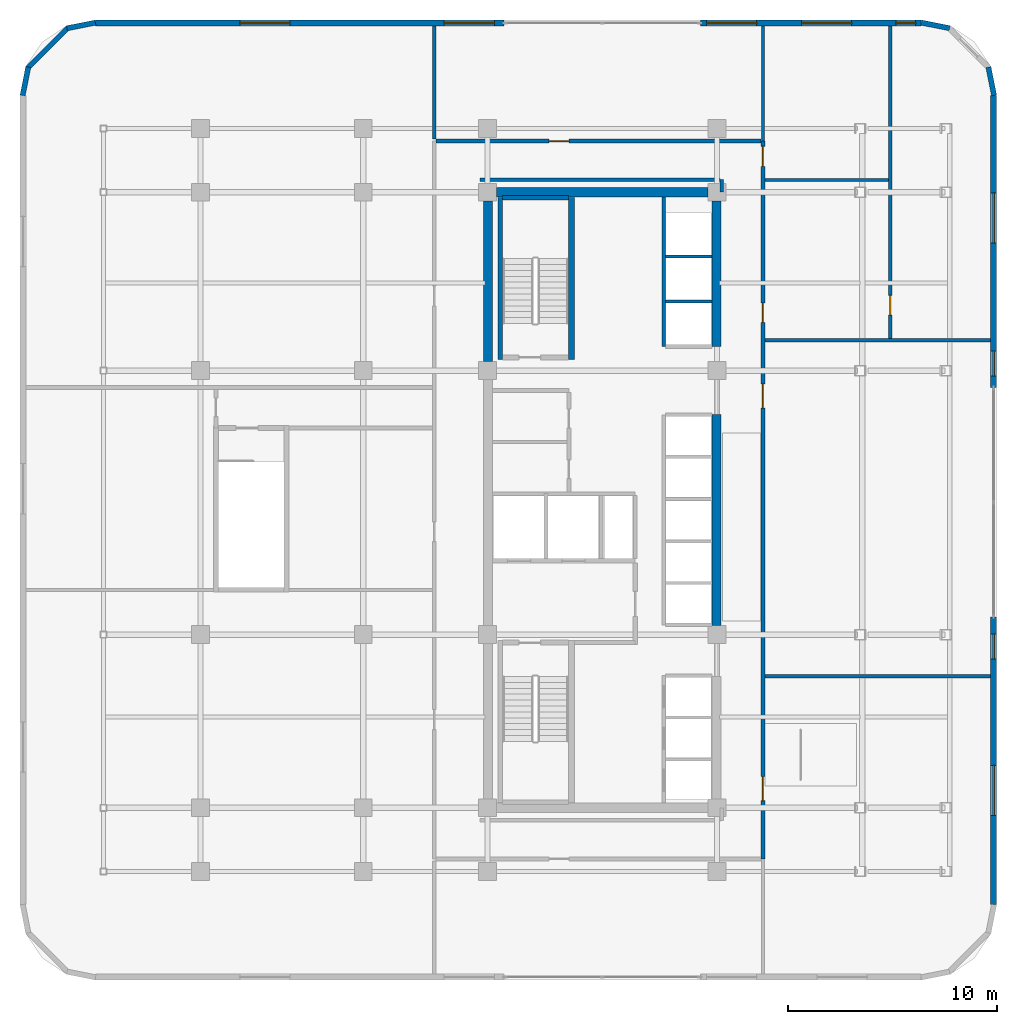
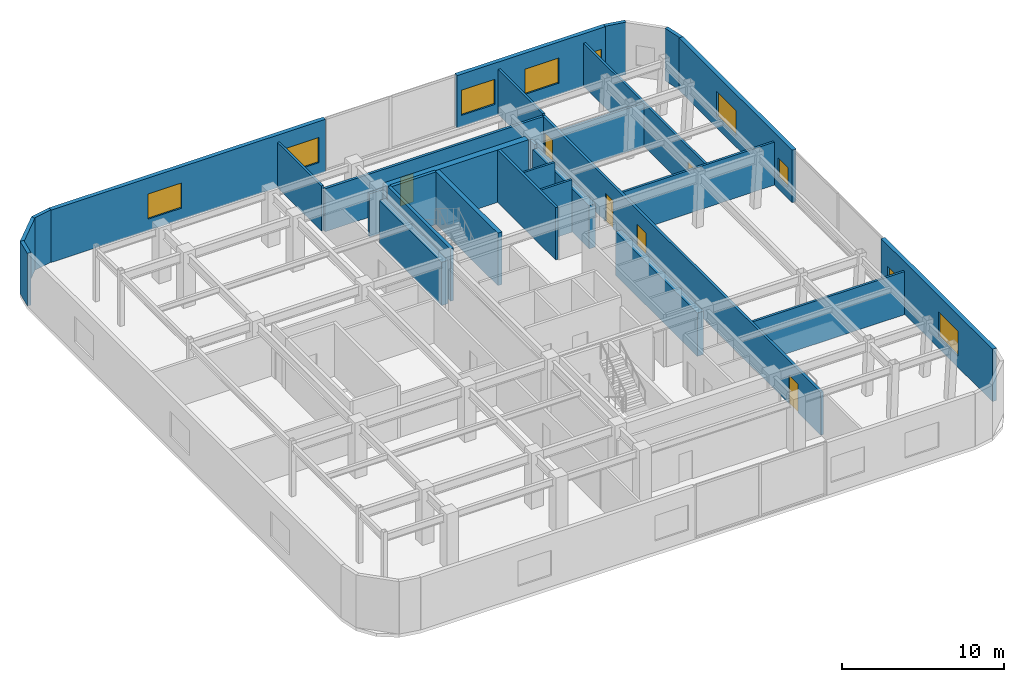
# One storey, part 10 of 13: 29 walls, 9 windows, 6 doors, 15 openings.
"""IFC4 building model written with IfcOpenShell, lengths in metres."""

from ifc_helpers import new_model, si_unit, direction, frame, frame_2d, origin, place, context, subcontext, project, spatial, rectangle, extrude, material, layer, layer_set, type_object, element, fill, save


model = new_model("IFC4")

# Units and contexts
model_context = context("Model", 3, precision=1e-05, world=origin(), true_north=direction((0.0, 1.0)))
body_context = subcontext(model_context, "Body", "Model", "MODEL_VIEW")
ifc_project = project(units=[si_unit("LENGTHUNIT", "METRE"), si_unit("AREAUNIT", "SQUARE_METRE"), si_unit("VOLUMEUNIT", "CUBIC_METRE"), si_unit("PLANEANGLEUNIT", "RADIAN"), si_unit("MASSUNIT", "GRAM", prefix="KILO")], contexts=[model_context])

# Site, building, storey
site_placement = place(None, origin())
site = spatial("IfcSite", under=ifc_project, at=site_placement, CompositionType="ELEMENT")
building_placement = place(site_placement, origin())
building = spatial("IfcBuilding", under=site, at=building_placement, Name="Ochreholt Gables", CompositionType="ELEMENT")
storey_placement = place(building_placement, frame((0.0, 0.0, 60.0)))
storey = spatial("IfcBuildingStorey", under=building, at=storey_placement, Name="L15", CompositionType="ELEMENT", Elevation=60.0)

# Walls
ifc_material_1 = material(Name="Concrete 60 MPa", Category="concrete")
ifc_layer_1 = layer(ifc_material_1, 0.449951171875, Name="Concrete 60 MPa")
ifc_layer_set_1 = layer_set([ifc_layer_1], Name="Concrete 60 MPa")
wall_type_1 = type_object("IfcWallType", Name="WALL-CSW-450", PredefinedType="SHEAR", material=ifc_layer_set_1)
wall_1_placement = place(storey_placement, frame((24.22509765625, 30.625, 0.0), z_axis=(0.0, 0.0, 1.0), x_axis=(0.0, 1.0, 0.0)))
element("IfcWall", 1, at=wall_1_placement, inside=storey, type_object=wall_type_1, Name="L15 Core West Shear Wall WN", PredefinedType="SHEAR", context=body_context, shape_type="SweptSolid", body=[
    extrude(rectangle(XDim=7.699951171875, YDim=0.449951171875, at=frame_2d((3.85009765625, 0.0))), origin(), (0.0, 0.0, 1.0), 3.26708984375),
])
wall_2_placement = place(storey_placement, frame((35.175048828125, 17.97509765625, 0.0), z_axis=(0.0, 0.0, 1.0), x_axis=(0.0, 1.0, 0.0)))
element("IfcWall", 2, at=wall_2_placement, inside=storey, type_object=wall_type_1, Name="L15 Core Central-East Shear Wall", PredefinedType="SHEAR", context=body_context, shape_type="SweptSolid", body=[
    extrude(rectangle(XDim=10.125, YDim=0.449951171875, at=frame_2d((5.0625, 0.0))), origin(), (0.0, 0.0, 1.0), 3.26708984375),
])
wall_3_placement = place(storey_placement, frame((35.175048828125, 31.35009765625, 0.0), z_axis=(0.0, 0.0, 1.0), x_axis=(0.0, 1.0, 0.0)))
element("IfcWall", 3, at=wall_3_placement, inside=storey, type_object=wall_type_1, Name="L15 Core North-East Shear Wall", PredefinedType="SHEAR", context=body_context, shape_type="SweptSolid", body=[
    extrude(rectangle(XDim=6.974853515625, YDim=0.449951171875, at=frame_2d((3.4873046875, 0.0))), origin(), (0.0, 0.0, 1.0), 3.26708984375),
])
wall_4_placement = place(storey_placement, frame((24.625, 38.75, 0.0), z_axis=(0.0, 0.0, 1.0), x_axis=(1.0, 0.0, 0.0)))
element("IfcWall", 4, at=wall_4_placement, inside=storey, type_object=wall_type_1, Name="L15 Core North Shear Wall", PredefinedType="SHEAR", context=body_context, shape_type="SweptSolid", body=[
    extrude(rectangle(XDim=10.14990234375, YDim=0.449951171875, at=frame_2d((5.074951171875, 0.0))), origin(), (0.0, 0.0, 1.0), 3.9599609375),
])

# Wall, openings, windows
ifc_material_2 = material(Name="Precast concrete 40 MPa", Category="concrete")
ifc_layer_2 = layer(ifc_material_2, 0.2900390625, Name="Precast concrete 40 MPa")
ifc_layer_set_2 = layer_set([ifc_layer_2], Name="Precast concrete 40 MPa")
wall_type_2 = type_object("IfcWallType", Name="WALL-EXT-290", PredefinedType="SOLIDWALL", material=ifc_layer_set_2)
wall_5_placement = place(storey_placement, frame((48.455078125, 4.6201171875, 0.0), z_axis=(0.0, 0.0, 1.0), x_axis=(0.0, 1.0, 0.0)))
wall_5 = element("IfcWall", 5, at=wall_5_placement, inside=storey, type_object=wall_type_2, Name="L15 East Facade Wall 1", PredefinedType="SOLIDWALL", context=body_context, shape_type="SweptSolid", body=[
    extrude(rectangle(XDim=13.77978515625, YDim=0.2900390625, at=frame_2d((6.889892578125, 0.0))), origin(), (0.0, 0.0, 1.0), 3.9599609375),
])
opening_1_placement = place(wall_5_placement, frame((4.264892578125, 0.0, 0.85009765625)))
opening_1 = element("IfcOpeningElement", 6, at=opening_1_placement, cuts=wall_5, Name="Opening WN-5", PredefinedType="OPENING", context=body_context, shape_type="SweptSolid", body=[
    extrude(rectangle(XDim=2.39990234375, YDim=1.89990234375, at=frame_2d((1.199951171875, 0.949951171875))), frame((0.0, 0.155029296875, 0.0), z_axis=(0.0, -1.0, 0.0), x_axis=(1.0, 0.0, 0.0)), (0.0, 0.0, 1.0), 0.31005859375),
])
opening_2_placement = place(wall_5_placement, frame((11.7548828125, 0.0, 0.85009765625)))
opening_2 = element("IfcOpeningElement", 7, at=opening_2_placement, cuts=wall_5, Name="Opening WN-3", PredefinedType="OPENING", context=body_context, shape_type="SweptSolid", body=[
    extrude(rectangle(XDim=1.199951171875, YDim=1.5, at=frame_2d((0.60009765625, 0.75))), frame((0.0, 0.155029296875, 0.0), z_axis=(0.0, -1.0, 0.0), x_axis=(1.0, 0.0, 0.0)), (0.0, 0.0, 1.0), 0.31005859375),
])
ifc_material_3 = material(Name="Triple-Glazed Thermally Broken Aluminium Window", Category="aluminium")
window_type_1 = type_object("IfcWindowType", Name="WIN-COM-2400", PartitioningType="SINGLE_PANEL", PredefinedType="WINDOW", material=ifc_material_3)
window_1_placement = place(opening_1_placement, origin())
window_1 = element("IfcWindow", 8, at=window_1_placement, inside=storey, type_object=window_type_1, Name="L15 Window W-EXT-E1-L15-1", OverallHeight=1.89990234375, OverallWidth=2.39990234375, PartitioningType="SINGLE_PANEL", PredefinedType="WINDOW", context=body_context, shape_type="SweptSolid", body=[
    extrude(rectangle(XDim=2.39990234375, YDim=1.89990234375, at=frame_2d((1.199951171875, 0.949951171875))), frame((0.0, 0.030029296875, 0.0), z_axis=(0.0, -1.0, 0.0), x_axis=(1.0, 0.0, 0.0)), (0.0, 0.0, 1.0), 0.06005859375),
])
fill(opening_1, window_1)
window_type_2 = type_object("IfcWindowType", Name="WIN-RES-1200", PartitioningType="SINGLE_PANEL", PredefinedType="WINDOW", material=ifc_material_3)
window_2_placement = place(opening_2_placement, origin())
window_2 = element("IfcWindow", 9, at=window_2_placement, inside=storey, type_object=window_type_2, Name="L15 Window W-EXT-E1-L15-2", OverallHeight=1.5, OverallWidth=1.199951171875, PartitioningType="SINGLE_PANEL", PredefinedType="WINDOW", context=body_context, shape_type="SweptSolid", body=[
    extrude(rectangle(XDim=1.199951171875, YDim=1.5, at=frame_2d((0.60009765625, 0.75))), frame((0.0, 0.030029296875, 0.0), z_axis=(0.0, -1.0, 0.0), x_axis=(1.0, 0.0, 0.0)), (0.0, 0.0, 1.0), 0.06005859375),
])
fill(opening_2, window_2)

wall_6_placement = place(storey_placement, frame((48.455078125, 29.39990234375, 0.0), z_axis=(0.0, 0.0, 1.0), x_axis=(0.0, 1.0, 0.0)))
wall_6 = element("IfcWall", 10, at=wall_6_placement, inside=storey, type_object=wall_type_2, Name="L15 East Facade Wall 2", PredefinedType="SOLIDWALL", context=body_context, shape_type="SweptSolid", body=[
    extrude(rectangle(XDim=13.97998046875, YDim=0.2900390625, at=frame_2d((6.989990234375, 0.0))), origin(), (0.0, 0.0, 1.0), 3.9599609375),
])
opening_3_placement = place(wall_6_placement, frame((0.530029296875, 0.0, 0.85009765625)))
opening_3 = element("IfcOpeningElement", 11, at=opening_3_placement, cuts=wall_6, Name="Opening WN-3", PredefinedType="OPENING", context=body_context, shape_type="SweptSolid", body=[
    extrude(rectangle(XDim=1.199951171875, YDim=1.5, at=frame_2d((0.60009765625, 0.75))), frame((0.0, 0.155029296875, 0.0), z_axis=(0.0, -1.0, 0.0), x_axis=(1.0, 0.0, 0.0)), (0.0, 0.0, 1.0), 0.31005859375),
])
opening_4_placement = place(wall_6_placement, frame((6.919921875, 0.0, 0.85009765625)))
opening_4 = element("IfcOpeningElement", 12, at=opening_4_placement, cuts=wall_6, Name="Opening WN-5", PredefinedType="OPENING", context=body_context, shape_type="SweptSolid", body=[
    extrude(rectangle(XDim=2.39990234375, YDim=1.89990234375, at=frame_2d((1.199951171875, 0.949951171875))), frame((0.0, 0.155029296875, 0.0), z_axis=(0.0, -1.0, 0.0), x_axis=(1.0, 0.0, 0.0)), (0.0, 0.0, 1.0), 0.31005859375),
])
window_3_placement = place(opening_4_placement, origin())
window_3 = element("IfcWindow", 13, at=window_3_placement, inside=storey, type_object=window_type_1, Name="L15 Window W-EXT-E2-L15-2", OverallHeight=1.89990234375, OverallWidth=2.39990234375, PartitioningType="SINGLE_PANEL", PredefinedType="WINDOW", context=body_context, shape_type="SweptSolid", body=[
    extrude(rectangle(XDim=2.39990234375, YDim=1.89990234375, at=frame_2d((1.199951171875, 0.949951171875))), frame((0.0, 0.030029296875, 0.0), z_axis=(0.0, -1.0, 0.0), x_axis=(1.0, 0.0, 0.0)), (0.0, 0.0, 1.0), 0.06005859375),
])
fill(opening_4, window_3)
window_4_placement = place(opening_3_placement, origin())
window_4 = element("IfcWindow", 14, at=window_4_placement, inside=storey, type_object=window_type_2, Name="L15 Window W-EXT-E2-L15-1", OverallHeight=1.5, OverallWidth=1.199951171875, PartitioningType="SINGLE_PANEL", PredefinedType="WINDOW", context=body_context, shape_type="SweptSolid", body=[
    extrude(rectangle(XDim=1.199951171875, YDim=1.5, at=frame_2d((0.60009765625, 0.75))), frame((0.0, 0.030029296875, 0.0), z_axis=(0.0, -1.0, 0.0), x_axis=(1.0, 0.0, 0.0)), (0.0, 0.0, 1.0), 0.06005859375),
])
fill(opening_3, window_4)

wall_7_placement = place(storey_placement, frame((44.97998046875, 46.85498046875, 0.0), z_axis=(0.0, 0.0, 1.0), x_axis=(-1.0, 0.0, 0.0)))
wall_7 = element("IfcWall", 15, at=wall_7_placement, inside=storey, type_object=wall_type_2, Name="L15 North Facade Wall 1", PredefinedType="SOLIDWALL", context=body_context, shape_type="SweptSolid", body=[
    extrude(rectangle(XDim=10.580078125, YDim=0.2900390625, at=frame_2d((5.2900390625, 0.0))), origin(), (0.0, 0.0, 1.0), 3.9599609375),
])
opening_5_placement = place(wall_7_placement, frame((7.8798828125, 0.0, 0.85009765625)))
opening_5 = element("IfcOpeningElement", 16, at=opening_5_placement, cuts=wall_7, Name="Opening WN-5", PredefinedType="OPENING", context=body_context, shape_type="SweptSolid", body=[
    extrude(rectangle(XDim=2.39990234375, YDim=1.89990234375, at=frame_2d((1.199951171875, 0.949951171875))), frame((0.0, 0.155029296875, 0.0), z_axis=(0.0, -1.0, 0.0), x_axis=(1.0, 0.0, 0.0)), (0.0, 0.0, 1.0), 0.31005859375),
])
opening_6_placement = place(wall_7_placement, frame((3.330078125, 0.0, 0.85009765625)))
opening_6 = element("IfcOpeningElement", 17, at=opening_6_placement, cuts=wall_7, Name="Opening WN-5", PredefinedType="OPENING", context=body_context, shape_type="SweptSolid", body=[
    extrude(rectangle(XDim=2.39990234375, YDim=1.89990234375, at=frame_2d((1.199951171875, 0.949951171875))), frame((0.0, 0.155029296875, 0.0), z_axis=(0.0, -1.0, 0.0), x_axis=(1.0, 0.0, 0.0)), (0.0, 0.0, 1.0), 0.31005859375),
])
opening_7_placement = place(wall_7_placement, frame((0.264892578125, 0.0, 0.85009765625)))
opening_7 = element("IfcOpeningElement", 18, at=opening_7_placement, cuts=wall_7, Name="Opening WN-10", PredefinedType="OPENING", context=body_context, shape_type="SweptSolid", body=[
    extrude(rectangle(XDim=0.949951171875, YDim=1.5, at=frame_2d((0.47509765625, 0.75))), frame((0.0, 0.155029296875, 0.0), z_axis=(0.0, -1.0, 0.0), x_axis=(1.0, 0.0, 0.0)), (0.0, 0.0, 1.0), 0.31005859375),
])
window_5_placement = place(opening_5_placement, origin())
window_5 = element("IfcWindow", 19, at=window_5_placement, inside=storey, type_object=window_type_1, Name="L15 Window W-EXT-N1-L15-1", OverallHeight=1.89990234375, OverallWidth=2.39990234375, PartitioningType="SINGLE_PANEL", PredefinedType="WINDOW", context=body_context, shape_type="SweptSolid", body=[
    extrude(rectangle(XDim=2.39990234375, YDim=1.89990234375, at=frame_2d((1.199951171875, 0.949951171875))), frame((0.0, 0.030029296875, 0.0), z_axis=(0.0, -1.0, 0.0), x_axis=(1.0, 0.0, 0.0)), (0.0, 0.0, 1.0), 0.06005859375),
])
fill(opening_5, window_5)
window_6_placement = place(opening_6_placement, origin())
window_6 = element("IfcWindow", 20, at=window_6_placement, inside=storey, type_object=window_type_1, Name="L15 Window W-EXT-N1-L15-2", OverallHeight=1.89990234375, OverallWidth=2.39990234375, PartitioningType="SINGLE_PANEL", PredefinedType="WINDOW", context=body_context, shape_type="SweptSolid", body=[
    extrude(rectangle(XDim=2.39990234375, YDim=1.89990234375, at=frame_2d((1.199951171875, 0.949951171875))), frame((0.0, 0.030029296875, 0.0), z_axis=(0.0, -1.0, 0.0), x_axis=(1.0, 0.0, 0.0)), (0.0, 0.0, 1.0), 0.06005859375),
])
fill(opening_6, window_6)
window_type_3 = type_object("IfcWindowType", Name="WIN-RES-950", PartitioningType="SINGLE_PANEL", PredefinedType="WINDOW", material=ifc_material_3)
window_7_placement = place(opening_7_placement, origin())
window_7 = element("IfcWindow", 21, at=window_7_placement, inside=storey, type_object=window_type_3, Name="L15 Window W-EXT-N1-L15-3", OverallHeight=1.5, OverallWidth=0.949951171875, PartitioningType="SINGLE_PANEL", PredefinedType="WINDOW", context=body_context, shape_type="SweptSolid", body=[
    extrude(rectangle(XDim=0.949951171875, YDim=1.5, at=frame_2d((0.47509765625, 0.75))), frame((0.0, 0.030029296875, 0.0), z_axis=(0.0, -1.0, 0.0), x_axis=(1.0, 0.0, 0.0)), (0.0, 0.0, 1.0), 0.06005859375),
])
fill(opening_7, window_7)

wall_8_placement = place(storey_placement, frame((25.0, 46.85498046875, 0.0), z_axis=(0.0, 0.0, 1.0), x_axis=(-1.0, 0.0, 0.0)))
wall_8 = element("IfcWall", 22, at=wall_8_placement, inside=storey, type_object=wall_type_2, Name="L15 North Facade Wall 2", PredefinedType="SOLIDWALL", context=body_context, shape_type="SweptSolid", body=[
    extrude(rectangle(XDim=19.580078125, YDim=0.2900390625, at=frame_2d((9.7900390625, 0.0))), origin(), (0.0, 0.0, 1.0), 3.9599609375),
])
opening_8_placement = place(wall_8_placement, frame((10.264892578125, 0.0, 0.85009765625)))
opening_8 = element("IfcOpeningElement", 23, at=opening_8_placement, cuts=wall_8, Name="Opening WN-5", PredefinedType="OPENING", context=body_context, shape_type="SweptSolid", body=[
    extrude(rectangle(XDim=2.39990234375, YDim=1.89990234375, at=frame_2d((1.199951171875, 0.949951171875))), frame((0.0, 0.155029296875, 0.0), z_axis=(0.0, -1.0, 0.0), x_axis=(1.0, 0.0, 0.0)), (0.0, 0.0, 1.0), 0.31005859375),
])
opening_9_placement = place(wall_8_placement, frame((0.47509765625, 0.0, 0.85009765625)))
opening_9 = element("IfcOpeningElement", 24, at=opening_9_placement, cuts=wall_8, Name="Opening WN-5", PredefinedType="OPENING", context=body_context, shape_type="SweptSolid", body=[
    extrude(rectangle(XDim=2.39990234375, YDim=1.89990234375, at=frame_2d((1.199951171875, 0.949951171875))), frame((0.0, 0.155029296875, 0.0), z_axis=(0.0, -1.0, 0.0), x_axis=(1.0, 0.0, 0.0)), (0.0, 0.0, 1.0), 0.31005859375),
])
window_8_placement = place(opening_8_placement, origin())
window_8 = element("IfcWindow", 25, at=window_8_placement, inside=storey, type_object=window_type_1, Name="L15 Window W-EXT-N2-L15-1", OverallHeight=1.89990234375, OverallWidth=2.39990234375, PartitioningType="SINGLE_PANEL", PredefinedType="WINDOW", context=body_context, shape_type="SweptSolid", body=[
    extrude(rectangle(XDim=2.39990234375, YDim=1.89990234375, at=frame_2d((1.199951171875, 0.949951171875))), frame((0.0, 0.030029296875, 0.0), z_axis=(0.0, -1.0, 0.0), x_axis=(1.0, 0.0, 0.0)), (0.0, 0.0, 1.0), 0.06005859375),
])
fill(opening_8, window_8)
window_9_placement = place(opening_9_placement, origin())
window_9 = element("IfcWindow", 26, at=window_9_placement, inside=storey, type_object=window_type_1, Name="L15 Window W-EXT-N2-L15-2", OverallHeight=1.89990234375, OverallWidth=2.39990234375, PartitioningType="SINGLE_PANEL", PredefinedType="WINDOW", context=body_context, shape_type="SweptSolid", body=[
    extrude(rectangle(XDim=2.39990234375, YDim=1.89990234375, at=frame_2d((1.199951171875, 0.949951171875))), frame((0.0, 0.030029296875, 0.0), z_axis=(0.0, -1.0, 0.0), x_axis=(1.0, 0.0, 0.0)), (0.0, 0.0, 1.0), 0.06005859375),
])
fill(opening_9, window_9)

# Walls
ifc_layer_3 = layer(ifc_material_2, 0.25, Name="Precast concrete 40 MPa")
ifc_layer_set_3 = layer_set([ifc_layer_3], Name="Precast concrete 40 MPa")
wall_type_3 = type_object("IfcWallType", Name="WALL-EXT-CNR", PredefinedType="SOLIDWALL", material=ifc_layer_set_3)
for number, where, z_axis, x_axis, name in (
    (27, (48.475830078125, 43.383544921875, 0.0), (0.0, 0.0, 1.0), (-0.19496651342, 0.980809899341, 0.0), "L15 Rounded Corner Wall NE-1"),
    (28, (46.345458984375, 46.60498046875, 0.0), (0.0, 0.0, 1.0), (-0.980809899341, 0.19496651342, 0.0), "L15 Rounded Corner Wall NE-3"),
    (29, (5.41650390625, 46.875732421875, 0.0), (0.0, 0.0, 1.0), (-0.980809899341, -0.19496651342, 0.0), "L15 Rounded Corner Wall NW-1"),
):
    element("IfcWall", number, at=place(storey_placement, frame(where, z_axis=z_axis, x_axis=x_axis)), inside=storey, type_object=wall_type_3, Name=name, PredefinedType="SOLIDWALL", context=body_context, shape_type="SweptSolid", body=[
        extrude(rectangle(XDim=1.388671875, YDim=0.25, at=frame_2d((0.6943359375, 0.0))), origin(), (0.0, 0.0, 1.0), 3.9599609375),
    ])
wall_9_placement = place(storey_placement, frame((4.10498046875, 46.632080078125, 0.0), z_axis=(0.0, 0.0, 1.0), x_axis=(-0.707106781187, -0.707106781187, 0.0)))
element("IfcWall", 30, at=wall_9_placement, inside=storey, type_object=wall_type_3, Name="L15 Rounded Corner Wall NW-2", PredefinedType="SOLIDWALL", context=body_context, shape_type="SweptSolid", body=[
    extrude(rectangle(XDim=2.7392578125, YDim=0.25, at=frame_2d((1.36962890625, 0.0))), origin(), (0.0, 0.0, 1.0), 3.9599609375),
])
wall_10_placement = place(storey_placement, frame((2.195068359375, 44.74560546875, 0.0), z_axis=(0.0, 0.0, 1.0), x_axis=(-0.19496651342, -0.980809899341, 0.0)))
element("IfcWall", 31, at=wall_10_placement, inside=storey, type_object=wall_type_3, Name="L15 Rounded Corner Wall NW-3", PredefinedType="SOLIDWALL", context=body_context, shape_type="SweptSolid", body=[
    extrude(rectangle(XDim=1.388671875, YDim=0.25, at=frame_2d((0.6943359375, 0.0))), origin(), (0.0, 0.0, 1.0), 3.9599609375),
])

# Wall, openings, doors
ifc_material_4 = material(Name="Fire-Rated Gypsum Acoustic Partition", Category="gypsum")
ifc_layer_4 = layer(ifc_material_4, 0.179931640625, Name="Fire-Rated Gypsum Acoustic Partition")
ifc_layer_set_4 = layer_set([ifc_layer_4], Name="Fire-Rated Gypsum Acoustic Partition")
wall_type_4 = type_object("IfcWallType", Name="WALL-INT-CR180", PredefinedType="STANDARD", material=ifc_layer_set_4)
wall_11_placement = place(storey_placement, frame((37.39990234375, 6.800048828125, 0.0), z_axis=(0.0, 0.0, 1.0), x_axis=(0.0, 1.0, 0.0)))
wall_11 = element("IfcWall", 32, at=wall_11_placement, inside=storey, type_object=wall_type_4, Name="L15 Interior Wall WI-CMCE-L15", PredefinedType="STANDARD", context=body_context, shape_type="SweptSolid", body=[
    extrude(rectangle(XDim=34.39990234375, YDim=0.179931640625, at=frame_2d((17.199951171875, 0.0))), origin(), (0.0, 0.0, 1.0), 3.2490234375),
])
opening_10_placement = place(wall_11_placement, frame((25.7099609375, 0.0, 0.0)))
opening_10 = element("IfcOpeningElement", 33, at=opening_10_placement, cuts=wall_11, Name="Opening D-WC1", PredefinedType="OPENING", context=body_context, shape_type="SweptSolid", body=[
    extrude(rectangle(XDim=0.919921875, YDim=2.139892578125, at=frame_2d((0.4599609375, 1.06982421875))), frame((0.0, 0.099853515625, 0.0), z_axis=(0.0, -1.0, 0.0), x_axis=(1.0, 0.0, 0.0)), (0.0, 0.0, 1.0), 0.199951171875),
])
opening_11_placement = place(wall_11_placement, frame((33.18994140625, 0.0, 0.0)))
opening_11 = element("IfcOpeningElement", 34, at=opening_11_placement, cuts=wall_11, Name="Opening D-WC2", PredefinedType="OPENING", context=body_context, shape_type="SweptSolid", body=[
    extrude(rectangle(XDim=0.949951171875, YDim=2.139892578125, at=frame_2d((0.47509765625, 1.06982421875))), frame((0.0, 0.099853515625, 0.0), z_axis=(0.0, -1.0, 0.0), x_axis=(1.0, 0.0, 0.0)), (0.0, 0.0, 1.0), 0.199951171875),
])
opening_12_placement = place(wall_11_placement, frame((2.800048828125, 0.0, 0.0)))
opening_12 = element("IfcOpeningElement", 35, at=opening_12_placement, cuts=wall_11, Name="Opening D-CM1", PredefinedType="OPENING", context=body_context, shape_type="SweptSolid", body=[
    extrude(rectangle(XDim=1.14990234375, YDim=2.14990234375, at=frame_2d((0.574951171875, 1.074951171875))), frame((0.0, 0.099853515625, 0.0), z_axis=(0.0, -1.0, 0.0), x_axis=(1.0, 0.0, 0.0)), (0.0, 0.0, 1.0), 0.199951171875),
])
opening_13_placement = place(wall_11_placement, frame((21.60009765625, 0.0, 0.0)))
opening_13 = element("IfcOpeningElement", 36, at=opening_13_placement, cuts=wall_11, Name="Opening D-CM1", PredefinedType="OPENING", context=body_context, shape_type="SweptSolid", body=[
    extrude(rectangle(XDim=1.14990234375, YDim=2.14990234375, at=frame_2d((0.574951171875, 1.074951171875))), frame((0.0, 0.099853515625, 0.0), z_axis=(0.0, -1.0, 0.0), x_axis=(1.0, 0.0, 0.0)), (0.0, 0.0, 1.0), 0.199951171875),
])
ifc_material_5 = material(Name="Engineered Oak Timber", Category="wood")
door_type_1 = type_object("IfcDoorType", Name="DR-INT-COM1150", OperationType="NOTDEFINED", PredefinedType="DOOR", material=ifc_material_5)
door_1_placement = place(opening_12_placement, origin())
door_1 = element("IfcDoor", 37, at=door_1_placement, inside=storey, type_object=door_type_1, Name="L15 Door D-CMS-L15", OperationType="SINGLE_SWING_LEFT", OverallHeight=2.14990234375, OverallWidth=1.14990234375, PredefinedType="DOOR", context=body_context, shape_type="SweptSolid", body=[
    extrude(rectangle(XDim=1.14990234375, YDim=2.14990234375, at=frame_2d((0.574951171875, 1.074951171875))), frame((0.0, 0.02490234375, 0.0), z_axis=(0.0, -1.0, 0.0), x_axis=(1.0, 0.0, 0.0)), (0.0, 0.0, 1.0), 0.050048828125),
])
fill(opening_12, door_1)
door_2_placement = place(opening_13_placement, origin())
door_2 = element("IfcDoor", 38, at=door_2_placement, inside=storey, type_object=door_type_1, Name="L15 Door D-CMM-L15", OperationType="SINGLE_SWING_RIGHT", OverallHeight=2.14990234375, OverallWidth=1.14990234375, PredefinedType="DOOR", context=body_context, shape_type="SweptSolid", body=[
    extrude(rectangle(XDim=1.14990234375, YDim=2.14990234375, at=frame_2d((0.574951171875, 1.074951171875))), frame((0.0, 0.02490234375, 0.0), z_axis=(0.0, -1.0, 0.0), x_axis=(1.0, 0.0, 0.0)), (0.0, 0.0, 1.0), 0.050048828125),
])
fill(opening_13, door_2)
door_type_2 = type_object("IfcDoorType", Name="DR-INT-WC920", OperationType="NOTDEFINED", PredefinedType="DOOR", material=ifc_material_5)
door_3_placement = place(opening_10_placement, origin())
door_3 = element("IfcDoor", 39, at=door_3_placement, inside=storey, type_object=door_type_2, Name="L15 Door D-CMWC1-L15", OperationType="SINGLE_SWING_LEFT", OverallHeight=2.139892578125, OverallWidth=0.919921875, PredefinedType="DOOR", context=body_context, shape_type="SweptSolid", body=[
    extrude(rectangle(XDim=0.919921875, YDim=2.139892578125, at=frame_2d((0.4599609375, 1.06982421875))), frame((0.0, 0.02490234375, 0.0), z_axis=(0.0, -1.0, 0.0), x_axis=(1.0, 0.0, 0.0)), (0.0, 0.0, 1.0), 0.050048828125),
])
fill(opening_10, door_3)
door_type_3 = type_object("IfcDoorType", Name="DR-INT-WC950", OperationType="NOTDEFINED", PredefinedType="DOOR", material=ifc_material_5)
door_4_placement = place(opening_11_placement, origin())
door_4 = element("IfcDoor", 40, at=door_4_placement, inside=storey, type_object=door_type_3, Name="L15 Door D-CMWC2-L15", OperationType="SINGLE_SWING_RIGHT", OverallHeight=2.139892578125, OverallWidth=0.949951171875, PredefinedType="DOOR", context=body_context, shape_type="SweptSolid", body=[
    extrude(rectangle(XDim=0.949951171875, YDim=2.139892578125, at=frame_2d((0.47509765625, 1.06982421875))), frame((0.0, 0.02490234375, 0.0), z_axis=(0.0, -1.0, 0.0), x_axis=(1.0, 0.0, 0.0)), (0.0, 0.0, 1.0), 0.050048828125),
])
fill(opening_11, door_4)

# Wall
wall_12_placement = place(storey_placement, frame((35.419921875, 38.75, 0.0), z_axis=(0.0, 0.0, 1.0), x_axis=(0.0, 1.0, 0.0)))
element("IfcWall", 41, at=wall_12_placement, inside=storey, type_object=wall_type_4, Name="L15 Interior Wall WI-CMCNW1-L15", PredefinedType="STANDARD", context=body_context, shape_type="SweptSolid", body=[
    extrude(rectangle(XDim=0.60009765625, YDim=0.179931640625, at=frame_2d((0.300048828125, 0.0))), origin(), (0.0, 0.0, 1.0), 3.2490234375),
])

# Wall, opening, door
wall_13_placement = place(storey_placement, frame((21.739990234375, 41.199951171875, 0.0), z_axis=(0.0, 0.0, 1.0), x_axis=(1.0, 0.0, 0.0)))
wall_13 = element("IfcWall", 42, at=wall_13_placement, inside=storey, type_object=wall_type_4, Name="L15 Interior Wall WI-CMCN-L15", PredefinedType="STANDARD", context=body_context, shape_type="SweptSolid", body=[
    extrude(rectangle(XDim=15.570068359375, YDim=0.179931640625, at=frame_2d((7.78515625, 0.0))), origin(), (0.0, 0.0, 1.0), 3.2490234375),
])
opening_14_placement = place(wall_13_placement, frame((5.409912109375, 0.0, 0.0)))
opening_14 = element("IfcOpeningElement", 43, at=opening_14_placement, cuts=wall_13, Name="Opening D-GN1", PredefinedType="OPENING", context=body_context, shape_type="SweptSolid", body=[
    extrude(rectangle(XDim=0.949951171875, YDim=2.14990234375, at=frame_2d((0.47509765625, 1.074951171875))), frame((0.0, 0.099853515625, 0.0), z_axis=(0.0, -1.0, 0.0), x_axis=(1.0, 0.0, 0.0)), (0.0, 0.0, 1.0), 0.199951171875),
])
door_type_4 = type_object("IfcDoorType", Name="DR-INT-GEN950", OperationType="NOTDEFINED", PredefinedType="DOOR", material=ifc_material_5)
door_5_placement = place(opening_14_placement, origin())
door_5 = element("IfcDoor", 44, at=door_5_placement, inside=storey, type_object=door_type_4, Name="L15 Door D-CMCN-L15", OperationType="SINGLE_SWING_RIGHT", OverallHeight=2.14990234375, OverallWidth=0.949951171875, PredefinedType="DOOR", context=body_context, shape_type="SweptSolid", body=[
    extrude(rectangle(XDim=0.949951171875, YDim=2.14990234375, at=frame_2d((0.47509765625, 1.074951171875))), frame((0.0, 0.02490234375, 0.0), z_axis=(0.0, -1.0, 0.0), x_axis=(1.0, 0.0, 0.0)), (0.0, 0.0, 1.0), 0.050048828125),
])
fill(opening_14, door_5)

# Wall
wall_14_placement = place(storey_placement, frame((23.85009765625, 39.35009765625, 0.0), z_axis=(0.0, 0.0, 1.0), x_axis=(1.0, 0.0, 0.0)))
element("IfcWall", 45, at=wall_14_placement, inside=storey, type_object=wall_type_4, Name="L15 Interior Wall WI-CMCN2-L15", PredefinedType="STANDARD", context=body_context, shape_type="SweptSolid", body=[
    extrude(rectangle(XDim=11.47998046875, YDim=0.179931640625, at=frame_2d((5.739990234375, 0.0))), origin(), (0.0, 0.0, 1.0), 3.2490234375),
])

# Wall, opening, door
ifc_material_6 = material(Name="Moisture-Resistant Plumbing Chase Wall", Category="gypsum")
ifc_layer_5 = layer(ifc_material_6, 0.159912109375, Name="Moisture-Resistant Plumbing Chase Wall")
ifc_layer_set_5 = layer_set([ifc_layer_5], Name="Moisture-Resistant Plumbing Chase Wall")
wall_type_5 = type_object("IfcWallType", Name="WALL-INT-PL160", PredefinedType="PLUMBINGWALL", material=ifc_layer_set_5)
wall_15_placement = place(storey_placement, frame((43.5, 31.739990234375, 0.0), z_axis=(0.0, 0.0, 1.0), x_axis=(0.0, 1.0, 0.0)))
wall_15 = element("IfcWall", 46, at=wall_15_placement, inside=storey, type_object=wall_type_5, Name="L15 Interior Wall WI-CMWC-L15", PredefinedType="PLUMBINGWALL", context=body_context, shape_type="SweptSolid", body=[
    extrude(rectangle(XDim=14.969970703125, YDim=0.159912109375, at=frame_2d((7.48486328125, 0.0))), origin(), (0.0, 0.0, 1.0), 3.2490234375),
])
opening_15_placement = place(wall_15_placement, frame((1.1201171875, 0.0, 0.0)))
opening_15 = element("IfcOpeningElement", 47, at=opening_15_placement, cuts=wall_15, Name="Opening D-GN1", PredefinedType="OPENING", context=body_context, shape_type="SweptSolid", body=[
    extrude(rectangle(XDim=0.949951171875, YDim=2.14990234375, at=frame_2d((0.47509765625, 1.074951171875))), frame((0.0, 0.08984375, 0.0), z_axis=(0.0, -1.0, 0.0), x_axis=(1.0, 0.0, 0.0)), (0.0, 0.0, 1.0), 0.179931640625),
])
door_6_placement = place(opening_15_placement, origin())
door_6 = element("IfcDoor", 48, at=door_6_placement, inside=storey, type_object=door_type_4, Name="L15 Door D-CMNE-L15", OperationType="SINGLE_SWING_LEFT", OverallHeight=2.14990234375, OverallWidth=0.949951171875, PredefinedType="DOOR", context=body_context, shape_type="SweptSolid", body=[
    extrude(rectangle(XDim=0.949951171875, YDim=2.14990234375, at=frame_2d((0.47509765625, 1.074951171875))), frame((0.0, 0.02490234375, 0.0), z_axis=(0.0, -1.0, 0.0), x_axis=(1.0, 0.0, 0.0)), (0.0, 0.0, 1.0), 0.050048828125),
])
fill(opening_15, door_6)

# Walls
wall_16_placement = place(storey_placement, frame((37.489990234375, 39.330078125, 0.0), z_axis=(0.0, 0.0, 1.0), x_axis=(1.0, 0.0, 0.0)))
element("IfcWall", 49, at=wall_16_placement, inside=storey, type_object=wall_type_5, Name="L15 Interior Wall WI-CMWCD-L15", PredefinedType="PLUMBINGWALL", context=body_context, shape_type="SweptSolid", body=[
    extrude(rectangle(XDim=5.929931640625, YDim=0.159912109375, at=frame_2d((2.96484375, 0.0))), origin(), (0.0, 0.0, 1.0), 3.2490234375),
])
ifc_material_7 = material(Name="Gypsum Acoustic Stud Partition", Category="gypsum")
ifc_layer_6 = layer(ifc_material_7, 0.159912109375, Name="Gypsum Acoustic Stud Partition")
ifc_layer_set_6 = layer_set([ifc_layer_6], Name="Gypsum Acoustic Stud Partition")
wall_type_6 = type_object("IfcWallType", Name="WALL-INT-PT160", PredefinedType="PARTITIONING", material=ifc_layer_set_6)
wall_17_placement = place(storey_placement, frame((37.39990234375, 41.199951171875, 0.0), z_axis=(0.0, 0.0, 1.0), x_axis=(0.0, 1.0, 0.0)))
element("IfcWall", 50, at=wall_17_placement, inside=storey, type_object=wall_type_6, Name="L15 Interior Wall WI-CMCEN-L15", PredefinedType="PARTITIONING", context=body_context, shape_type="SweptSolid", body=[
    extrude(rectangle(XDim=5.510009765625, YDim=0.159912109375, at=frame_2d((2.7548828125, 0.0))), origin(), (0.0, 0.0, 1.0), 3.408935546875),
])
for number, where, z_axis, x_axis, name in (
    (51, (37.489990234375, 15.550048828125, 0.0), (0.0, 0.0, 1.0), (1.0, 0.0, 0.0), "L15 Interior Wall WI-CME1-L15"),
    (52, (37.489990234375, 31.659912109375, 0.0), (0.0, 0.0, 1.0), (1.0, 0.0, 0.0), "L15 Interior Wall WI-CME2-L15"),
):
    element("IfcWall", number, at=place(storey_placement, frame(where, z_axis=z_axis, x_axis=x_axis)), inside=storey, type_object=wall_type_6, Name=name, PredefinedType="PARTITIONING", context=body_context, shape_type="SweptSolid", body=[
        extrude(rectangle(XDim=10.820068359375, YDim=0.159912109375, at=frame_2d((5.41015625, 0.0))), origin(), (0.0, 0.0, 1.0), 3.2490234375),
    ])
wall_18_placement = place(storey_placement, frame((21.64990234375, 41.2900390625, 0.0), z_axis=(0.0, 0.0, 1.0), x_axis=(0.0, 1.0, 0.0)))
element("IfcWall", 53, at=wall_18_placement, inside=storey, type_object=wall_type_6, Name="L15 Interior Wall WI-CMCWN-L15", PredefinedType="PARTITIONING", context=body_context, shape_type="SweptSolid", body=[
    extrude(rectangle(XDim=5.419921875, YDim=0.159912109375, at=frame_2d((2.7099609375, 0.0))), origin(), (0.0, 0.0, 1.0), 3.408935546875),
])
ifc_material_8 = material(Name="Gypsum Shaftliner and Steel Stud", Category="steel")
ifc_layer_7 = layer(ifc_material_8, 0.14990234375, Name="Gypsum Shaftliner and Steel Stud")
ifc_layer_set_7 = layer_set([ifc_layer_7], Name="Gypsum Shaftliner and Steel Stud")
wall_type_7 = type_object("IfcWallType", Name="WALL-INT-SH150", PredefinedType="STANDARD", material=ifc_layer_set_7)
for number, where, z_axis, x_axis, name in (
    (54, (32.739990234375, 33.52001953125, 0.0), (0.0, 0.0, 1.0), (1.0, 0.0, 0.0), "L15 Interior Wall WI-LFM-D1-L15"),
    (55, (32.739990234375, 35.669921875, 0.0), (0.0, 0.0, 1.0), (1.0, 0.0, 0.0), "L15 Interior Wall WI-LFM-D2-L15"),
):
    element("IfcWall", number, at=place(storey_placement, frame(where, z_axis=z_axis, x_axis=x_axis)), inside=storey, type_object=wall_type_7, Name=name, PredefinedType="STANDARD", context=body_context, shape_type="SweptSolid", body=[
        extrude(rectangle(XDim=2.2099609375, YDim=0.14990234375, at=frame_2d((1.10498046875, 0.0))), origin(), (0.0, 0.0, 1.0), 3.9599609375),
    ])
ifc_layer_8 = layer(ifc_material_8, 0.179931640625, Name="Gypsum Shaftliner and Steel Stud")
ifc_layer_set_8 = layer_set([ifc_layer_8], Name="Gypsum Shaftliner and Steel Stud")
wall_type_8 = type_object("IfcWallType", Name="WALL-INT-SH180", PredefinedType="STANDARD", material=ifc_layer_set_8)
wall_19_placement = place(storey_placement, frame((32.64990234375, 31.35009765625, 0.0), z_axis=(0.0, 0.0, 1.0), x_axis=(0.0, 1.0, 0.0)))
element("IfcWall", 56, at=wall_19_placement, inside=storey, type_object=wall_type_8, Name="L15 Interior Wall WI-LFM-FR-L15", PredefinedType="STANDARD", context=body_context, shape_type="SweptSolid", body=[
    extrude(rectangle(XDim=7.1748046875, YDim=0.179931640625, at=frame_2d((3.58740234375, 0.0))), origin(), (0.0, 0.0, 1.0), 3.9599609375),
])
ifc_layer_9 = layer(ifc_material_1, 0.300048828125, Name="Concrete 60 MPa")
ifc_layer_set_9 = layer_set([ifc_layer_9], Name="Concrete 60 MPa")
wall_type_9 = type_object("IfcWallType", Name="WALL-SPN-300", PredefinedType="SHEAR", material=ifc_layer_set_9)
wall_20_placement = place(storey_placement, frame((28.22998046875, 30.739990234375, 0.0), z_axis=(0.0, 0.0, 1.0), x_axis=(0.0, 1.0, 0.0)))
element("IfcWall", 57, at=wall_20_placement, inside=storey, type_object=wall_type_9, Name="L15 Core North Spine Shear Wall", PredefinedType="SHEAR", context=body_context, shape_type="SweptSolid", body=[
    extrude(rectangle(XDim=7.760009765625, YDim=0.300048828125, at=frame_2d((3.8798828125, 0.0))), origin(), (0.0, 0.0, 1.0), 3.9599609375),
])
ifc_material_9 = material(Name="Concrete 50 MPa", Category="concrete")
ifc_layer_10 = layer(ifc_material_9, 0.219970703125, Name="Concrete 50 MPa")
ifc_layer_set_10 = layer_set([ifc_layer_10], Name="Concrete 50 MPa")
wall_type_10 = type_object("IfcWallType", Name="WALL-STW-220", PredefinedType="SHEAR", material=ifc_layer_set_10)
wall_21_placement = place(storey_placement, frame((24.81005859375, 30.739990234375, 0.0), z_axis=(0.0, 0.0, 1.0), x_axis=(0.0, 1.0, 0.0)))
element("IfcWall", 58, at=wall_21_placement, inside=storey, type_object=wall_type_10, Name="L15 Exit Stair 2 West Wall", PredefinedType="SHEAR", context=body_context, shape_type="SweptSolid", body=[
    extrude(rectangle(XDim=7.760009765625, YDim=0.219970703125, at=frame_2d((3.8798828125, 0.0))), origin(), (0.0, 0.0, 1.0), 3.9599609375),
])
wall_22_placement = place(storey_placement, frame((24.919921875, 38.489990234375, 0.0), z_axis=(0.0, 0.0, 1.0), x_axis=(1.0, 0.0, 0.0)))
element("IfcWall", 59, at=wall_22_placement, inside=storey, type_object=wall_type_10, Name="L15 Exit Stair 2 North Wall", PredefinedType="SHEAR", context=body_context, shape_type="SweptSolid", body=[
    extrude(rectangle(XDim=3.16015625, YDim=0.219970703125, at=frame_2d((1.580078125, 0.0))), origin(), (0.0, 0.0, 1.0), 3.9599609375),
])

save(model, "model.ifc")
